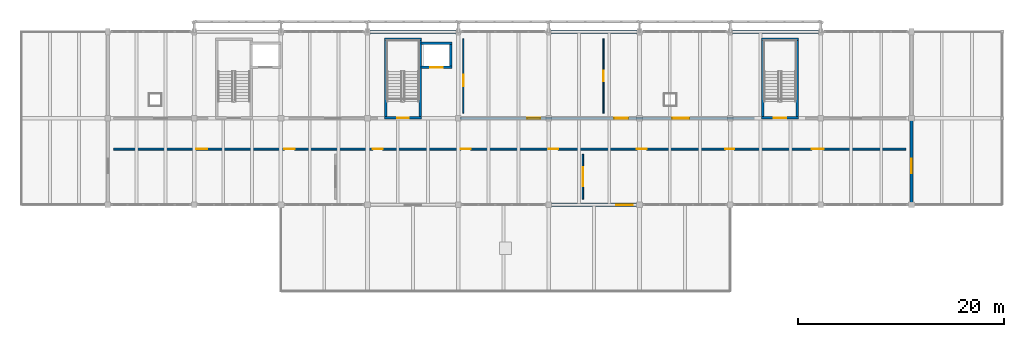
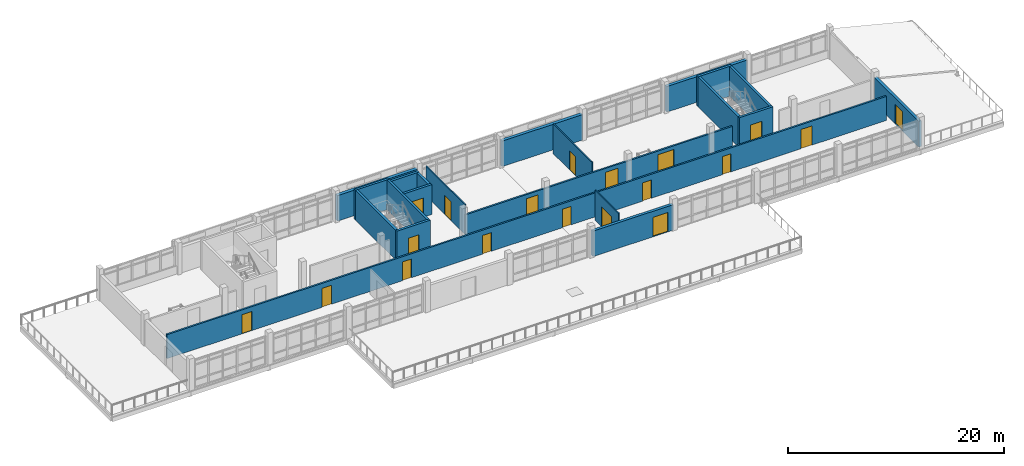
# One storey, part 24 of 30: 21 walls, 19 doors, 19 openings.
"""IFC4 building model written with IfcOpenShell, lengths in metres."""

from ifc_helpers import new_model, si_unit, direction, frame, frame_2d, origin, place, context, subcontext, project, spatial, rectangle, extrude, material, layer, layer_set, type_object, element, fill, save


model = new_model("IFC4")

# Units and contexts
model_context = context("Model", 3, precision=1e-05, world=origin(), true_north=direction((0.0, 1.0)))
body_context = subcontext(model_context, "Body", "Model", "MODEL_VIEW")
ifc_project = project(units=[si_unit("LENGTHUNIT", "METRE"), si_unit("AREAUNIT", "SQUARE_METRE"), si_unit("VOLUMEUNIT", "CUBIC_METRE"), si_unit("PLANEANGLEUNIT", "RADIAN"), si_unit("MASSUNIT", "GRAM", prefix="KILO")], contexts=[model_context])

# Site, building, storey
site_placement = place(None, origin())
site = spatial("IfcSite", under=ifc_project, at=site_placement, CompositionType="ELEMENT")
building_placement = place(site_placement, origin())
building = spatial("IfcBuilding", under=site, at=building_placement, Name="Cinderway Yard Community Centre", CompositionType="ELEMENT")
storey_placement = place(building_placement, frame((0.0, 0.0, 16.5)))
storey = spatial("IfcBuildingStorey", under=building, at=storey_placement, Name="L04", CompositionType="ELEMENT", Elevation=16.5)

# Wall, opening, door
ifc_material_1 = material(Name="Brick Masonry", Category="masonry")
ifc_layer_1 = layer(ifc_material_1, 0.300048828125, Name="Brick Masonry")
ifc_layer_set_1 = layer_set([ifc_layer_1], Name="Brick Masonry")
wall_type_1 = type_object("IfcWallType", Name="ENV-WAL-EXT300", PredefinedType="SOLIDWALL", material=ifc_layer_set_1)
wall_1_placement = place(storey_placement, frame((92.89990234375, 98.39990234375, 0.0), z_axis=(0.0, 0.0, 1.0), x_axis=(1.0, 0.0, 0.0)))
wall_1 = element("IfcWall", 1, at=wall_1_placement, inside=storey, type_object=wall_type_1, Name="V4 Courtyard Portal Wall ENV-WAL-L04-0182", PredefinedType="SOLIDWALL", context=body_context, shape_type="SweptSolid", body=[
    extrude(rectangle(XDim=8.60009765625, YDim=0.300048828125, at=frame_2d((4.300048828125, 0.0))), origin(), (0.0, 0.0, 1.0), 2.885009765625),
])
opening_1_placement = place(wall_1_placement, frame((6.449951171875, 0.0, 0.0)))
opening_1 = element("IfcOpeningElement", 2, at=opening_1_placement, cuts=wall_1, Name="Opening D-TR1", PredefinedType="OPENING", context=body_context, shape_type="SweptSolid", body=[
    extrude(rectangle(XDim=1.60009765625, YDim=2.199951171875, at=frame_2d((0.800048828125, 1.10009765625))), frame((0.0, 0.159912109375, 0.0), z_axis=(0.0, -1.0, 0.0), x_axis=(1.0, 0.0, 0.0)), (0.0, 0.0, 1.0), 0.320068359375),
])
ifc_material_2 = material(Name="Aluminium 6063-T6", Category="aluminium")
door_type_1 = type_object("IfcDoorType", Name="INT-DOR-TER160", OperationType="DOUBLE_DOOR_SINGLE_SWING", PredefinedType="DOOR", material=ifc_material_2)
door_1_placement = place(opening_1_placement, origin())
door_1 = element("IfcDoor", 3, at=door_1_placement, inside=storey, type_object=door_type_1, Name="Legal Aid L04 South Courtyard Terrace Door EXT-DOR-L04-0092", OperationType="DOUBLE_DOOR_SINGLE_SWING", OverallHeight=2.199951171875, OverallWidth=1.60009765625, PredefinedType="DOOR", context=body_context, shape_type="SweptSolid", body=[
    extrude(rectangle(XDim=1.60009765625, YDim=2.199951171875, at=frame_2d((0.800048828125, 1.10009765625))), frame((0.0, 0.02490234375, 0.0), z_axis=(0.0, -1.0, 0.0), x_axis=(1.0, 0.0, 0.0)), (0.0, 0.0, 1.0), 0.050048828125),
])
fill(opening_1, door_1)

wall_2_placement = place(storey_placement, frame((128.0, 98.5, 0.0), z_axis=(0.0, 0.0, 1.0), x_axis=(0.0, 1.0, 0.0)))
wall_2 = element("IfcWall", 4, at=wall_2_placement, inside=storey, type_object=wall_type_1, Name="V4 East End Wall ENV-WAL-L04-0186", PredefinedType="SOLIDWALL", context=body_context, shape_type="SweptSolid", body=[
    extrude(rectangle(XDim=8.199951171875, YDim=0.300048828125, at=frame_2d((4.10009765625, 0.0))), origin(), (0.0, 0.0, 1.0), 2.9150390625),
])
opening_2_placement = place(wall_2_placement, frame((2.949951171875, 0.0, 0.0)))
opening_2 = element("IfcOpeningElement", 5, at=opening_2_placement, cuts=wall_2, Name="Opening D-TR2", PredefinedType="OPENING", context=body_context, shape_type="SweptSolid", body=[
    extrude(rectangle(XDim=1.39990234375, YDim=2.199951171875, at=frame_2d((0.699951171875, 1.10009765625))), frame((0.0, 0.159912109375, 0.0), z_axis=(0.0, -1.0, 0.0), x_axis=(1.0, 0.0, 0.0)), (0.0, 0.0, 1.0), 0.320068359375),
])
door_type_2 = type_object("IfcDoorType", Name="INT-DOR-TER140", OperationType="DOUBLE_DOOR_SINGLE_SWING", PredefinedType="DOOR", material=ifc_material_2)
door_2_placement = place(opening_2_placement, origin())
door_2 = element("IfcDoor", 6, at=door_2_placement, inside=storey, type_object=door_type_2, Name="Legal Aid L04 East Terrace Door EXT-DOR-L04-0093", OperationType="DOUBLE_DOOR_SINGLE_SWING", OverallHeight=2.199951171875, OverallWidth=1.39990234375, PredefinedType="DOOR", context=body_context, shape_type="SweptSolid", body=[
    extrude(rectangle(XDim=1.39990234375, YDim=2.199951171875, at=frame_2d((0.699951171875, 1.10009765625))), frame((0.0, 0.02490234375, 0.0), z_axis=(0.0, -1.0, 0.0), x_axis=(1.0, 0.0, 0.0)), (0.0, 0.0, 1.0), 0.050048828125),
])
fill(opening_2, door_2)

# Walls
ifc_layer_2 = layer(ifc_material_1, 0.340087890625, Name="Brick Masonry")
ifc_layer_set_2 = layer_set([ifc_layer_2], Name="Brick Masonry")
wall_type_2 = type_object("IfcWallType", Name="ENV-WAL-EXT340", PredefinedType="SOLIDWALL", material=ifc_layer_set_2)
wall_3_placement = place(storey_placement, frame((75.300048828125, 115.199951171875, 0.0), z_axis=(0.0, 0.0, 1.0), x_axis=(1.0, 0.0, 0.0)))
element("IfcWall", 7, at=wall_3_placement, inside=storey, type_object=wall_type_2, Name="V4 Street Brick Facade Wall ENV-WAL-L04-0179", PredefinedType="SOLIDWALL", context=body_context, shape_type="SweptSolid", body=[
    extrude(rectangle(XDim=8.599853515625, YDim=0.340087890625, at=frame_2d((4.2998046875, 0.0))), origin(), (0.0, 0.0, 1.0), 2.885009765625),
])
for number, where, z_axis, x_axis, name in (
    (8, (92.89990234375, 115.199951171875, 0.0), (0.0, 0.0, 1.0), (1.0, 0.0, 0.0), "V4 Street Brick Facade Wall ENV-WAL-L04-0181"),
    (9, (110.5, 115.199951171875, 0.0), (0.0, 0.0, 1.0), (1.0, 0.0, 0.0), "V4 Street Brick Facade Wall ENV-WAL-L04-0183"),
):
    element("IfcWall", number, at=place(storey_placement, frame(where, z_axis=z_axis, x_axis=x_axis)), inside=storey, type_object=wall_type_2, Name=name, PredefinedType="SOLIDWALL", context=body_context, shape_type="SweptSolid", body=[
        extrude(rectangle(XDim=8.60009765625, YDim=0.340087890625, at=frame_2d((4.300048828125, 0.0))), origin(), (0.0, 0.0, 1.0), 2.885009765625),
    ])

# Wall, opening, door
ifc_material_3 = material(Name="Gypsum Board Partition", Category="gypsum")
ifc_layer_3 = layer(ifc_material_3, 0.1201171875, Name="Gypsum Board Partition")
ifc_layer_set_3 = layer_set([ifc_layer_3], Name="Gypsum Board Partition")
wall_type_3 = type_object("IfcWallType", Name="INT-WAL-PRT120", PredefinedType="PARTITIONING", material=ifc_layer_set_3)
wall_4_placement = place(storey_placement, frame((84.5, 107.300048828125, 0.0), z_axis=(0.0, 0.0, 1.0), x_axis=(0.0, 1.0, 0.0)))
wall_4 = element("IfcWall", 10, at=wall_4_placement, inside=storey, type_object=wall_type_3, Name="V4 L04 North Room Partition INT-PRT-L04-0333", PredefinedType="PARTITIONING", context=body_context, shape_type="SweptSolid", body=[
    extrude(rectangle(XDim=7.199951171875, YDim=0.1201171875, at=frame_2d((3.60009765625, 0.0))), origin(), (0.0, 0.0, 1.0), 3.364990234375),
])
opening_3_placement = place(wall_4_placement, frame((2.590087890625, 0.0, 0.0)))
opening_3 = element("IfcOpeningElement", 11, at=opening_3_placement, cuts=wall_4, Name="Opening D-03", PredefinedType="OPENING", context=body_context, shape_type="SweptSolid", body=[
    extrude(rectangle(XDim=1.1201171875, YDim=2.159912109375, at=frame_2d((0.56005859375, 1.080078125))), frame((0.0, 0.070068359375, 0.0), z_axis=(0.0, -1.0, 0.0), x_axis=(1.0, 0.0, 0.0)), (0.0, 0.0, 1.0), 0.14013671875),
])
ifc_material_4 = material(Name="Hardwood Timber", Category="wood")
door_type_3 = type_object("IfcDoorType", Name="INT-DOR-CLS112", OperationType="NOTDEFINED", PredefinedType="DOOR", material=ifc_material_4)
door_3_placement = place(opening_3_placement, origin())
door_3 = element("IfcDoor", 12, at=door_3_placement, inside=storey, type_object=door_type_3, Name="Room door INT-DOR-L04-0267", OperationType="SINGLE_SWING_LEFT", OverallHeight=2.159912109375, OverallWidth=1.1201171875, PredefinedType="DOOR", context=body_context, shape_type="SweptSolid", body=[
    extrude(rectangle(XDim=1.1201171875, YDim=2.159912109375, at=frame_2d((0.56005859375, 1.080078125))), frame((0.0, 0.02490234375, 0.0), z_axis=(0.0, -1.0, 0.0), x_axis=(1.0, 0.0, 0.0)), (0.0, 0.0, 1.0), 0.050048828125),
])
fill(opening_3, door_3)

wall_5_placement = place(storey_placement, frame((98.10009765625, 107.300048828125, 0.0), z_axis=(0.0, 0.0, 1.0), x_axis=(0.0, 1.0, 0.0)))
wall_5 = element("IfcWall", 13, at=wall_5_placement, inside=storey, type_object=wall_type_3, Name="V4 L04 North Room Partition INT-PRT-L04-0334", PredefinedType="PARTITIONING", context=body_context, shape_type="SweptSolid", body=[
    extrude(rectangle(XDim=7.199951171875, YDim=0.1201171875, at=frame_2d((3.60009765625, 0.0))), origin(), (0.0, 0.0, 1.0), 3.364990234375),
])
opening_4_placement = place(wall_5_placement, frame((3.070068359375, 0.0, 0.0)))
opening_4 = element("IfcOpeningElement", 14, at=opening_4_placement, cuts=wall_5, Name="Opening D-04", PredefinedType="OPENING", context=body_context, shape_type="SweptSolid", body=[
    extrude(rectangle(XDim=1.06005859375, YDim=2.159912109375, at=frame_2d((0.530029296875, 1.080078125))), frame((0.0, 0.070068359375, 0.0), z_axis=(0.0, -1.0, 0.0), x_axis=(1.0, 0.0, 0.0)), (0.0, 0.0, 1.0), 0.14013671875),
])
door_type_4 = type_object("IfcDoorType", Name="INT-DOR-CLS106", OperationType="NOTDEFINED", PredefinedType="DOOR", material=ifc_material_4)
door_4_placement = place(opening_4_placement, origin())
door_4 = element("IfcDoor", 15, at=door_4_placement, inside=storey, type_object=door_type_4, Name="Room door INT-DOR-L04-0268", OperationType="SINGLE_SWING_RIGHT", OverallHeight=2.159912109375, OverallWidth=1.06005859375, PredefinedType="DOOR", context=body_context, shape_type="SweptSolid", body=[
    extrude(rectangle(XDim=1.06005859375, YDim=2.159912109375, at=frame_2d((0.530029296875, 1.080078125))), frame((0.0, 0.02490234375, 0.0), z_axis=(0.0, -1.0, 0.0), x_axis=(1.0, 0.0, 0.0)), (0.0, 0.0, 1.0), 0.050048828125),
])
fill(opening_4, door_4)

ifc_layer_4 = layer(ifc_material_3, 0.139892578125, Name="Gypsum Board Partition")
ifc_layer_set_4 = layer_set([ifc_layer_4], Name="Gypsum Board Partition")
wall_type_4 = type_object("IfcWallType", Name="INT-WAL-PRT140", PredefinedType="PARTITIONING", material=ifc_layer_set_4)
wall_6_placement = place(storey_placement, frame((96.10009765625, 98.949951171875, 0.0), z_axis=(0.0, 0.0, 1.0), x_axis=(0.0, 1.0, 0.0)))
wall_6 = element("IfcWall", 16, at=wall_6_placement, inside=storey, type_object=wall_type_4, Name="V4 L04 South Room Partition INT-PRT-L04-0332", PredefinedType="PARTITIONING", context=body_context, shape_type="SweptSolid", body=[
    extrude(rectangle(XDim=4.35009765625, YDim=0.139892578125, at=frame_2d((2.175048828125, 0.0))), origin(), (0.0, 0.0, 1.0), 3.364990234375),
])
opening_5_placement = place(wall_6_placement, frame((1.25, 0.0, 0.0)))
opening_5 = element("IfcOpeningElement", 17, at=opening_5_placement, cuts=wall_6, Name="Opening D-02", PredefinedType="OPENING", context=body_context, shape_type="SweptSolid", body=[
    extrude(rectangle(XDim=1.85009765625, YDim=2.219970703125, at=frame_2d((0.925048828125, 1.10986328125))), frame((0.0, 0.079833984375, 0.0), z_axis=(0.0, -1.0, 0.0), x_axis=(1.0, 0.0, 0.0)), (0.0, 0.0, 1.0), 0.159912109375),
])
door_type_5 = type_object("IfcDoorType", Name="INT-DOR-HAL185", OperationType="DOUBLE_DOOR_SINGLE_SWING", PredefinedType="DOOR", material=ifc_material_4)
door_5_placement = place(opening_5_placement, origin())
door_5 = element("IfcDoor", 18, at=door_5_placement, inside=storey, type_object=door_type_5, Name="Room door INT-DOR-L04-0266", OperationType="DOUBLE_DOOR_SINGLE_SWING", OverallHeight=2.219970703125, OverallWidth=1.85009765625, PredefinedType="DOOR", context=body_context, shape_type="SweptSolid", body=[
    extrude(rectangle(XDim=1.85009765625, YDim=2.219970703125, at=frame_2d((0.925048828125, 1.10986328125))), frame((0.0, 0.02490234375, 0.0), z_axis=(0.0, -1.0, 0.0), x_axis=(1.0, 0.0, 0.0)), (0.0, 0.0, 1.0), 0.050048828125),
])
fill(opening_5, door_5)

# Wall, openings, doors
ifc_layer_5 = layer(ifc_material_1, 0.179931640625, Name="Brick Masonry")
ifc_layer_set_5 = layer_set([ifc_layer_5], Name="Brick Masonry")
wall_type_5 = type_object("IfcWallType", Name="INT-WAL-PRT180", PredefinedType="PARTITIONING", material=ifc_layer_set_5)
wall_7_placement = place(storey_placement, frame((50.550048828125, 103.800048828125, 0.0), z_axis=(0.0, 0.0, 1.0), x_axis=(1.0, 0.0, 0.0)))
wall_7 = element("IfcWall", 19, at=wall_7_placement, inside=storey, type_object=wall_type_5, Name="V4 L04 South Corridor Spine INT-PRT-L04-0326", PredefinedType="PARTITIONING", context=body_context, shape_type="SweptSolid", body=[
    extrude(rectangle(XDim=76.89990234375, YDim=0.179931640625, at=frame_2d((38.449951171875, 0.0))), origin(), (0.0, 0.0, 1.0), 2.715087890625),
])
opening_6_placement = place(wall_7_placement, frame((8.013916015625, 0.0, 0.0)))
opening_6 = element("IfcOpeningElement", 20, at=opening_6_placement, cuts=wall_7, Name="Opening D-04", PredefinedType="OPENING", context=body_context, shape_type="SweptSolid", body=[
    extrude(rectangle(XDim=1.06005859375, YDim=2.159912109375, at=frame_2d((0.530029296875, 1.080078125))), frame((0.0, 0.099853515625, 0.0), z_axis=(0.0, -1.0, 0.0), x_axis=(1.0, 0.0, 0.0)), (0.0, 0.0, 1.0), 0.199951171875),
])
opening_7_placement = place(wall_7_placement, frame((16.589111328125, 0.0, 0.0)))
opening_7 = element("IfcOpeningElement", 21, at=opening_7_placement, cuts=wall_7, Name="Opening D-05", PredefinedType="OPENING", context=body_context, shape_type="SweptSolid", body=[
    extrude(rectangle(XDim=1.0, YDim=2.139892578125, at=frame_2d((0.5, 1.06982421875))), frame((0.0, 0.099853515625, 0.0), z_axis=(0.0, -1.0, 0.0), x_axis=(1.0, 0.0, 0.0)), (0.0, 0.0, 1.0), 0.199951171875),
])
opening_8_placement = place(wall_7_placement, frame((25.14306640625, 0.0, 0.0)))
opening_8 = element("IfcOpeningElement", 22, at=opening_8_placement, cuts=wall_7, Name="Opening D-06", PredefinedType="OPENING", context=body_context, shape_type="SweptSolid", body=[
    extrude(rectangle(XDim=0.97998046875, YDim=2.1201171875, at=frame_2d((0.489990234375, 1.06005859375))), frame((0.0, 0.099853515625, 0.0), z_axis=(0.0, -1.0, 0.0), x_axis=(1.0, 0.0, 0.0)), (0.0, 0.0, 1.0), 0.199951171875),
])
opening_9_placement = place(wall_7_placement, frame((33.702880859375, 0.0, 0.0)))
opening_9 = element("IfcOpeningElement", 23, at=opening_9_placement, cuts=wall_7, Name="Opening D-07", PredefinedType="OPENING", context=body_context, shape_type="SweptSolid", body=[
    extrude(rectangle(XDim=0.949951171875, YDim=2.1201171875, at=frame_2d((0.47509765625, 1.06005859375))), frame((0.0, 0.099853515625, 0.0), z_axis=(0.0, -1.0, 0.0), x_axis=(1.0, 0.0, 0.0)), (0.0, 0.0, 1.0), 0.199951171875),
])
opening_10_placement = place(wall_7_placement, frame((42.261962890625, 0.0, 0.0)))
opening_10 = element("IfcOpeningElement", 24, at=opening_10_placement, cuts=wall_7, Name="Opening D-08", PredefinedType="OPENING", context=body_context, shape_type="SweptSolid", body=[
    extrude(rectangle(XDim=0.919921875, YDim=2.10009765625, at=frame_2d((0.4599609375, 1.050048828125))), frame((0.0, 0.099853515625, 0.0), z_axis=(0.0, -1.0, 0.0), x_axis=(1.0, 0.0, 0.0)), (0.0, 0.0, 1.0), 0.199951171875),
])
opening_11_placement = place(wall_7_placement, frame((50.787109375, 0.0, 0.0)))
opening_11 = element("IfcOpeningElement", 25, at=opening_11_placement, cuts=wall_7, Name="Opening D-09", PredefinedType="OPENING", context=body_context, shape_type="SweptSolid", body=[
    extrude(rectangle(XDim=0.9599609375, YDim=2.080078125, at=frame_2d((0.47998046875, 1.0400390625))), frame((0.0, 0.099853515625, 0.0), z_axis=(0.0, -1.0, 0.0), x_axis=(1.0, 0.0, 0.0)), (0.0, 0.0, 1.0), 0.199951171875),
])
opening_12_placement = place(wall_7_placement, frame((59.361083984375, 0.0, 0.0)))
opening_12 = element("IfcOpeningElement", 26, at=opening_12_placement, cuts=wall_7, Name="Opening D-10", PredefinedType="OPENING", context=body_context, shape_type="SweptSolid", body=[
    extrude(rectangle(XDim=0.89990234375, YDim=2.06005859375, at=frame_2d((0.449951171875, 1.030029296875))), frame((0.0, 0.099853515625, 0.0), z_axis=(0.0, -1.0, 0.0), x_axis=(1.0, 0.0, 0.0)), (0.0, 0.0, 1.0), 0.199951171875),
])
opening_13_placement = place(wall_7_placement, frame((67.76611328125, 0.0, 0.0)))
opening_13 = element("IfcOpeningElement", 27, at=opening_13_placement, cuts=wall_7, Name="Opening D-11", PredefinedType="OPENING", context=body_context, shape_type="SweptSolid", body=[
    extrude(rectangle(XDim=1.179931640625, YDim=2.179931640625, at=frame_2d((0.58984375, 1.08984375))), frame((0.0, 0.099853515625, 0.0), z_axis=(0.0, -1.0, 0.0), x_axis=(1.0, 0.0, 0.0)), (0.0, 0.0, 1.0), 0.199951171875),
])
door_type_6 = type_object("IfcDoorType", Name="INT-DOR-CLS100", OperationType="NOTDEFINED", PredefinedType="DOOR", material=ifc_material_4)
door_6_placement = place(opening_7_placement, origin())
door_6 = element("IfcDoor", 28, at=door_6_placement, inside=storey, type_object=door_type_6, Name="Room door INT-DOR-L04-0252", OperationType="SINGLE_SWING_LEFT", OverallHeight=2.139892578125, OverallWidth=1.0, PredefinedType="DOOR", context=body_context, shape_type="SweptSolid", body=[
    extrude(rectangle(XDim=1.0, YDim=2.139892578125, at=frame_2d((0.5, 1.06982421875))), frame((0.0, 0.02490234375, 0.0), z_axis=(0.0, -1.0, 0.0), x_axis=(1.0, 0.0, 0.0)), (0.0, 0.0, 1.0), 0.050048828125),
])
fill(opening_7, door_6)
door_7_placement = place(opening_6_placement, origin())
door_7 = element("IfcDoor", 29, at=door_7_placement, inside=storey, type_object=door_type_4, Name="Room door INT-DOR-L04-0251", OperationType="SINGLE_SWING_RIGHT", OverallHeight=2.159912109375, OverallWidth=1.06005859375, PredefinedType="DOOR", context=body_context, shape_type="SweptSolid", body=[
    extrude(rectangle(XDim=1.06005859375, YDim=2.159912109375, at=frame_2d((0.530029296875, 1.080078125))), frame((0.0, 0.02490234375, 0.0), z_axis=(0.0, -1.0, 0.0), x_axis=(1.0, 0.0, 0.0)), (0.0, 0.0, 1.0), 0.050048828125),
])
fill(opening_6, door_7)
door_type_7 = type_object("IfcDoorType", Name="INT-DOR-OFF092", OperationType="NOTDEFINED", PredefinedType="DOOR", material=ifc_material_4)
door_8_placement = place(opening_10_placement, origin())
door_8 = element("IfcDoor", 30, at=door_8_placement, inside=storey, type_object=door_type_7, Name="Room door INT-DOR-L04-0255", OperationType="SINGLE_SWING_RIGHT", OverallHeight=2.10009765625, OverallWidth=0.919921875, PredefinedType="DOOR", context=body_context, shape_type="SweptSolid", body=[
    extrude(rectangle(XDim=0.919921875, YDim=2.10009765625, at=frame_2d((0.4599609375, 1.050048828125))), frame((0.0, 0.02490234375, 0.0), z_axis=(0.0, -1.0, 0.0), x_axis=(1.0, 0.0, 0.0)), (0.0, 0.0, 1.0), 0.050048828125),
])
fill(opening_10, door_8)
door_type_8 = type_object("IfcDoorType", Name="INT-DOR-OFF095", OperationType="NOTDEFINED", PredefinedType="DOOR", material=ifc_material_4)
door_9_placement = place(opening_9_placement, origin())
door_9 = element("IfcDoor", 31, at=door_9_placement, inside=storey, type_object=door_type_8, Name="Room door INT-DOR-L04-0254", OperationType="SINGLE_SWING_LEFT", OverallHeight=2.1201171875, OverallWidth=0.949951171875, PredefinedType="DOOR", context=body_context, shape_type="SweptSolid", body=[
    extrude(rectangle(XDim=0.949951171875, YDim=2.1201171875, at=frame_2d((0.47509765625, 1.06005859375))), frame((0.0, 0.02490234375, 0.0), z_axis=(0.0, -1.0, 0.0), x_axis=(1.0, 0.0, 0.0)), (0.0, 0.0, 1.0), 0.050048828125),
])
fill(opening_9, door_9)
door_type_9 = type_object("IfcDoorType", Name="INT-DOR-OFF098", OperationType="NOTDEFINED", PredefinedType="DOOR", material=ifc_material_4)
door_10_placement = place(opening_8_placement, origin())
door_10 = element("IfcDoor", 32, at=door_10_placement, inside=storey, type_object=door_type_9, Name="Room door INT-DOR-L04-0253", OperationType="SINGLE_SWING_RIGHT", OverallHeight=2.1201171875, OverallWidth=0.97998046875, PredefinedType="DOOR", context=body_context, shape_type="SweptSolid", body=[
    extrude(rectangle(XDim=0.97998046875, YDim=2.1201171875, at=frame_2d((0.489990234375, 1.06005859375))), frame((0.0, 0.02490234375, 0.0), z_axis=(0.0, -1.0, 0.0), x_axis=(1.0, 0.0, 0.0)), (0.0, 0.0, 1.0), 0.050048828125),
])
fill(opening_8, door_10)
door_type_10 = type_object("IfcDoorType", Name="INT-DOR-SAN090", OperationType="NOTDEFINED", PredefinedType="DOOR", material=ifc_material_4)
door_11_placement = place(opening_12_placement, origin())
door_11 = element("IfcDoor", 33, at=door_11_placement, inside=storey, type_object=door_type_10, Name="Room door INT-DOR-L04-0257", OperationType="SINGLE_SWING_RIGHT", OverallHeight=2.06005859375, OverallWidth=0.89990234375, PredefinedType="DOOR", context=body_context, shape_type="SweptSolid", body=[
    extrude(rectangle(XDim=0.89990234375, YDim=2.06005859375, at=frame_2d((0.449951171875, 1.030029296875))), frame((0.0, 0.02490234375, 0.0), z_axis=(0.0, -1.0, 0.0), x_axis=(1.0, 0.0, 0.0)), (0.0, 0.0, 1.0), 0.050048828125),
])
fill(opening_12, door_11)
door_type_11 = type_object("IfcDoorType", Name="INT-DOR-SAN096", OperationType="NOTDEFINED", PredefinedType="DOOR", material=ifc_material_4)
door_12_placement = place(opening_11_placement, origin())
door_12 = element("IfcDoor", 34, at=door_12_placement, inside=storey, type_object=door_type_11, Name="Room door INT-DOR-L04-0256", OperationType="SINGLE_SWING_LEFT", OverallHeight=2.080078125, OverallWidth=0.9599609375, PredefinedType="DOOR", context=body_context, shape_type="SweptSolid", body=[
    extrude(rectangle(XDim=0.9599609375, YDim=2.080078125, at=frame_2d((0.47998046875, 1.0400390625))), frame((0.0, 0.02490234375, 0.0), z_axis=(0.0, -1.0, 0.0), x_axis=(1.0, 0.0, 0.0)), (0.0, 0.0, 1.0), 0.050048828125),
])
fill(opening_11, door_12)
ifc_material_5 = material(Name="Painted Galvanised Steel", Category="steel")
door_type_12 = type_object("IfcDoorType", Name="INT-DOR-STR118", OperationType="NOTDEFINED", PredefinedType="DOOR", material=ifc_material_5)
door_13_placement = place(opening_13_placement, origin())
door_13 = element("IfcDoor", 35, at=door_13_placement, inside=storey, type_object=door_type_12, Name="Room door INT-DOR-L04-0258", OperationType="SINGLE_SWING_LEFT", OverallHeight=2.179931640625, OverallWidth=1.179931640625, PredefinedType="DOOR", context=body_context, shape_type="SweptSolid", body=[
    extrude(rectangle(XDim=1.179931640625, YDim=2.179931640625, at=frame_2d((0.58984375, 1.08984375))), frame((0.0, 0.02490234375, 0.0), z_axis=(0.0, -1.0, 0.0), x_axis=(1.0, 0.0, 0.0)), (0.0, 0.0, 1.0), 0.050048828125),
])
fill(opening_13, door_13)

wall_8_placement = place(storey_placement, frame((84.199951171875, 106.800048828125, 0.0), z_axis=(0.0, 0.0, 1.0), x_axis=(1.0, 0.0, 0.0)))
wall_8 = element("IfcWall", 36, at=wall_8_placement, inside=storey, type_object=wall_type_5, Name="V4 L04 North Corridor Spine INT-PRT-L04-0329", PredefinedType="PARTITIONING", context=body_context, shape_type="SweptSolid", body=[
    extrude(rectangle(XDim=28.530029296875, YDim=0.179931640625, at=frame_2d((14.26513671875, 0.0))), origin(), (0.0, 0.0, 1.0), 2.6650390625),
])
opening_14_placement = place(wall_8_placement, frame((6.512939453125, 0.0, 0.0)))
opening_14 = element("IfcOpeningElement", 37, at=opening_14_placement, cuts=wall_8, Name="Opening D-14", PredefinedType="OPENING", context=body_context, shape_type="SweptSolid", body=[
    extrude(rectangle(XDim=1.239990234375, YDim=2.199951171875, at=frame_2d((0.6201171875, 1.10009765625))), frame((0.0, 0.099853515625, 0.0), z_axis=(0.0, -1.0, 0.0), x_axis=(1.0, 0.0, 0.0)), (0.0, 0.0, 1.0), 0.199951171875),
])
opening_15_placement = place(wall_8_placement, frame((14.93505859375, 0.0, 0.0)))
opening_15 = element("IfcOpeningElement", 38, at=opening_15_placement, cuts=wall_8, Name="Opening D-15", PredefinedType="OPENING", context=body_context, shape_type="SweptSolid", body=[
    extrude(rectangle(XDim=1.360107421875, YDim=2.219970703125, at=frame_2d((0.68017578125, 1.10986328125))), frame((0.0, 0.099853515625, 0.0), z_axis=(0.0, -1.0, 0.0), x_axis=(1.0, 0.0, 0.0)), (0.0, 0.0, 1.0), 0.199951171875),
])
opening_16_placement = place(wall_8_placement, frame((20.556884765625, 0.0, 0.0)))
opening_16 = element("IfcOpeningElement", 39, at=opening_16_placement, cuts=wall_8, Name="Opening D-16", PredefinedType="OPENING", context=body_context, shape_type="SweptSolid", body=[
    extrude(rectangle(XDim=1.679931640625, YDim=2.260009765625, at=frame_2d((0.83984375, 1.1298828125))), frame((0.0, 0.099853515625, 0.0), z_axis=(0.0, -1.0, 0.0), x_axis=(1.0, 0.0, 0.0)), (0.0, 0.0, 1.0), 0.199951171875),
])
door_type_13 = type_object("IfcDoorType", Name="INT-DOR-LIB168", OperationType="DOUBLE_DOOR_SINGLE_SWING", PredefinedType="DOOR", material=ifc_material_4)
door_14_placement = place(opening_16_placement, origin())
door_14 = element("IfcDoor", 40, at=door_14_placement, inside=storey, type_object=door_type_13, Name="Room door INT-DOR-L04-0263", OperationType="DOUBLE_DOOR_SINGLE_SWING", OverallHeight=2.260009765625, OverallWidth=1.679931640625, PredefinedType="DOOR", context=body_context, shape_type="SweptSolid", body=[
    extrude(rectangle(XDim=1.679931640625, YDim=2.260009765625, at=frame_2d((0.83984375, 1.1298828125))), frame((0.0, 0.02490234375, 0.0), z_axis=(0.0, -1.0, 0.0), x_axis=(1.0, 0.0, 0.0)), (0.0, 0.0, 1.0), 0.050048828125),
])
fill(opening_16, door_14)
door_type_14 = type_object("IfcDoorType", Name="INT-DOR-STU124", OperationType="NOTDEFINED", PredefinedType="DOOR", material=ifc_material_4)
door_15_placement = place(opening_14_placement, origin())
door_15 = element("IfcDoor", 41, at=door_15_placement, inside=storey, type_object=door_type_14, Name="Room door INT-DOR-L04-0261", OperationType="SINGLE_SWING_LEFT", OverallHeight=2.199951171875, OverallWidth=1.239990234375, PredefinedType="DOOR", context=body_context, shape_type="SweptSolid", body=[
    extrude(rectangle(XDim=1.239990234375, YDim=2.199951171875, at=frame_2d((0.6201171875, 1.10009765625))), frame((0.0, 0.02490234375, 0.0), z_axis=(0.0, -1.0, 0.0), x_axis=(1.0, 0.0, 0.0)), (0.0, 0.0, 1.0), 0.050048828125),
])
fill(opening_14, door_15)
door_type_15 = type_object("IfcDoorType", Name="INT-DOR-STU136", OperationType="DOUBLE_DOOR_SINGLE_SWING", PredefinedType="DOOR", material=ifc_material_4)
door_16_placement = place(opening_15_placement, origin())
door_16 = element("IfcDoor", 42, at=door_16_placement, inside=storey, type_object=door_type_15, Name="Room door INT-DOR-L04-0262", OperationType="DOUBLE_DOOR_SINGLE_SWING", OverallHeight=2.219970703125, OverallWidth=1.360107421875, PredefinedType="DOOR", context=body_context, shape_type="SweptSolid", body=[
    extrude(rectangle(XDim=1.360107421875, YDim=2.219970703125, at=frame_2d((0.68017578125, 1.10986328125))), frame((0.0, 0.02490234375, 0.0), z_axis=(0.0, -1.0, 0.0), x_axis=(1.0, 0.0, 0.0)), (0.0, 0.0, 1.0), 0.050048828125),
])
fill(opening_15, door_16)

# Wall, opening, door
ifc_material_6 = material(Name="Concrete C40/50", Category="concrete")
ifc_layer_6 = layer(ifc_material_6, 0.25, Name="Concrete C40/50")
ifc_layer_set_6 = layer_set([ifc_layer_6], Name="Concrete C40/50")
wall_type_6 = type_object("IfcWallType", Name="INT-WAL-SHR250", PredefinedType="SHEAR", material=ifc_layer_set_6)
wall_9_placement = place(storey_placement, frame((80.445068359375, 106.830078125, 0.0), z_axis=(0.0, 0.0, 1.0), x_axis=(-1.0, 0.0, 0.0)))
wall_9 = element("IfcWall", 43, at=wall_9_placement, inside=storey, type_object=wall_type_6, Name="Stair ST-02 Entry Wall INT-WAL-L04-0059", PredefinedType="SHEAR", context=body_context, shape_type="SweptSolid", body=[
    extrude(rectangle(XDim=3.610107421875, YDim=0.25, at=frame_2d((1.80517578125, 0.0))), origin(), (0.0, 0.0, 1.0), 3.3798828125),
])
opening_17_placement = place(wall_9_placement, frame((1.235107421875, 0.0, 0.0)))
opening_17 = element("IfcOpeningElement", 44, at=opening_17_placement, cuts=wall_9, Name="Opening D-ST2", PredefinedType="OPENING", context=body_context, shape_type="SweptSolid", body=[
    extrude(rectangle(XDim=1.139892578125, YDim=2.14990234375, at=frame_2d((0.56982421875, 1.074951171875))), frame((0.0, 0.135009765625, 0.0), z_axis=(0.0, -1.0, 0.0), x_axis=(1.0, 0.0, 0.0)), (0.0, 0.0, 1.0), 0.27001953125),
])
door_type_16 = type_object("IfcDoorType", Name="INT-DOR-ST114", OperationType="NOTDEFINED", PredefinedType="DOOR", material=ifc_material_5)
door_17_placement = place(opening_17_placement, origin())
door_17 = element("IfcDoor", 45, at=door_17_placement, inside=storey, type_object=door_type_16, Name="Core door INT-DOR-L04-0017", OperationType="SINGLE_SWING_LEFT", OverallHeight=2.14990234375, OverallWidth=1.139892578125, PredefinedType="DOOR", context=body_context, shape_type="SweptSolid", body=[
    extrude(rectangle(XDim=1.139892578125, YDim=2.14990234375, at=frame_2d((0.56982421875, 1.074951171875))), frame((0.0, 0.02490234375, 0.0), z_axis=(0.0, -1.0, 0.0), x_axis=(1.0, 0.0, 0.0)), (0.0, 0.0, 1.0), 0.050048828125),
])
fill(opening_17, door_17)

# Walls
wall_10_placement = place(storey_placement, frame((76.8349609375, 114.469970703125, 0.0), z_axis=(0.0, 0.0, 1.0), x_axis=(1.0, 0.0, 0.0)))
element("IfcWall", 46, at=wall_10_placement, inside=storey, type_object=wall_type_6, Name="Stair ST-02 Back Wall INT-WAL-L04-0060", PredefinedType="SHEAR", context=body_context, shape_type="SweptSolid", body=[
    extrude(rectangle(XDim=3.610107421875, YDim=0.25, at=frame_2d((1.80517578125, 0.0))), origin(), (0.0, 0.0, 1.0), 3.3798828125),
])
for number, where, z_axis, x_axis, name in (
    (47, (76.9599609375, 106.955078125, 0.0), (0.0, 0.0, 1.0), (0.0, 1.0, 0.0), "Stair ST-02 Side Wall L INT-WAL-L04-0061"),
    (48, (80.320068359375, 114.344970703125, 0.0), (0.0, 0.0, 1.0), (0.0, -1.0, 0.0), "Stair ST-02 Side Wall R INT-WAL-L04-0062"),
):
    element("IfcWall", number, at=place(storey_placement, frame(where, z_axis=z_axis, x_axis=x_axis)), inside=storey, type_object=wall_type_6, Name=name, PredefinedType="SHEAR", context=body_context, shape_type="SweptSolid", body=[
        extrude(rectangle(XDim=7.389892578125, YDim=0.25, at=frame_2d((3.69482421875, 0.0))), origin(), (0.0, 0.0, 1.0), 3.3798828125),
    ])

# Wall, opening, door
wall_11_placement = place(storey_placement, frame((80.39990234375, 111.72998046875, 0.0), z_axis=(0.0, 0.0, 1.0), x_axis=(1.0, 0.0, 0.0)))
wall_11 = element("IfcWall", 49, at=wall_11_placement, inside=storey, type_object=wall_type_6, Name="Lift LF-02 South Wall INT-WAL-L04-0079", PredefinedType="SHEAR", context=body_context, shape_type="SweptSolid", body=[
    extrude(rectangle(XDim=3.0, YDim=0.25, at=frame_2d((1.5, 0.0))), origin(), (0.0, 0.0, 1.0), 3.3798828125),
])
opening_18_placement = place(wall_11_placement, frame((0.889892578125, 0.0, 0.0)))
opening_18 = element("IfcOpeningElement", 50, at=opening_18_placement, cuts=wall_11, Name="Opening LD-02", PredefinedType="OPENING", context=body_context, shape_type="SweptSolid", body=[
    extrude(rectangle(XDim=1.219970703125, YDim=2.179931640625, at=frame_2d((0.60986328125, 1.08984375))), frame((0.0, 0.135009765625, 0.0), z_axis=(0.0, -1.0, 0.0), x_axis=(1.0, 0.0, 0.0)), (0.0, 0.0, 1.0), 0.27001953125),
])
door_type_17 = type_object("IfcDoorType", Name="INT-DOR-LD02", OperationType="SLIDING_TO_RIGHT", PredefinedType="DOOR", material=ifc_material_5)
door_18_placement = place(opening_18_placement, origin())
door_18 = element("IfcDoor", 51, at=door_18_placement, inside=storey, type_object=door_type_17, Name="Lift landing door INT-DOR-L04-0023", OperationType="SLIDING_TO_RIGHT", OverallHeight=2.179931640625, OverallWidth=1.219970703125, PredefinedType="DOOR", context=body_context, shape_type="SweptSolid", body=[
    extrude(rectangle(XDim=1.219970703125, YDim=2.179931640625, at=frame_2d((0.60986328125, 1.08984375))), frame((0.0, 0.02490234375, 0.0), z_axis=(0.0, -1.0, 0.0), x_axis=(1.0, 0.0, 0.0)), (0.0, 0.0, 1.0), 0.050048828125),
])
fill(opening_18, door_18)

# Walls
wall_12_placement = place(storey_placement, frame((83.39990234375, 114.070068359375, 0.0), z_axis=(0.0, 0.0, 1.0), x_axis=(-1.0, 0.0, 0.0)))
element("IfcWall", 52, at=wall_12_placement, inside=storey, type_object=wall_type_6, Name="Lift LF-02 North Wall INT-WAL-L04-0080", PredefinedType="SHEAR", context=body_context, shape_type="SweptSolid", body=[
    extrude(rectangle(XDim=3.0, YDim=0.25, at=frame_2d((1.5, 0.0))), origin(), (0.0, 0.0, 1.0), 3.3798828125),
])
wall_13_placement = place(storey_placement, frame((83.27001953125, 111.860107421875, 0.0), z_axis=(0.0, 0.0, 1.0), x_axis=(0.0, 1.0, 0.0)))
element("IfcWall", 53, at=wall_13_placement, inside=storey, type_object=wall_type_6, Name="Lift LF-02 East Wall INT-WAL-L04-0081", PredefinedType="SHEAR", context=body_context, shape_type="SweptSolid", body=[
    extrude(rectangle(XDim=2.079833984375, YDim=0.25, at=frame_2d((1.0400390625, 0.0))), origin(), (0.0, 0.0, 1.0), 3.3798828125),
])

# Wall, opening, door
wall_14_placement = place(storey_placement, frame((117.044921875, 106.830078125, 0.0), z_axis=(0.0, 0.0, 1.0), x_axis=(-1.0, 0.0, 0.0)))
wall_14 = element("IfcWall", 54, at=wall_14_placement, inside=storey, type_object=wall_type_6, Name="Stair ST-03 Entry Wall INT-WAL-L04-0101", PredefinedType="SHEAR", context=body_context, shape_type="SweptSolid", body=[
    extrude(rectangle(XDim=3.60986328125, YDim=0.25, at=frame_2d((1.804931640625, 0.0))), origin(), (0.0, 0.0, 1.0), 3.3798828125),
])
opening_19_placement = place(wall_14_placement, frame((1.205078125, 0.0, 0.0)))
opening_19 = element("IfcOpeningElement", 55, at=opening_19_placement, cuts=wall_14, Name="Opening D-ST1", PredefinedType="OPENING", context=body_context, shape_type="SweptSolid", body=[
    extrude(rectangle(XDim=1.199951171875, YDim=2.14990234375, at=frame_2d((0.60009765625, 1.074951171875))), frame((0.0, 0.135009765625, 0.0), z_axis=(0.0, -1.0, 0.0), x_axis=(1.0, 0.0, 0.0)), (0.0, 0.0, 1.0), 0.27001953125),
])
door_type_18 = type_object("IfcDoorType", Name="INT-DOR-ST120", OperationType="NOTDEFINED", PredefinedType="DOOR", material=ifc_material_5)
door_19_placement = place(opening_19_placement, origin())
door_19 = element("IfcDoor", 56, at=door_19_placement, inside=storey, type_object=door_type_18, Name="Core door INT-DOR-L04-0029", OperationType="SINGLE_SWING_LEFT", OverallHeight=2.14990234375, OverallWidth=1.199951171875, PredefinedType="DOOR", context=body_context, shape_type="SweptSolid", body=[
    extrude(rectangle(XDim=1.199951171875, YDim=2.14990234375, at=frame_2d((0.60009765625, 1.074951171875))), frame((0.0, 0.02490234375, 0.0), z_axis=(0.0, -1.0, 0.0), x_axis=(1.0, 0.0, 0.0)), (0.0, 0.0, 1.0), 0.050048828125),
])
fill(opening_19, door_19)

# Walls
wall_15_placement = place(storey_placement, frame((113.43505859375, 114.469970703125, 0.0), z_axis=(0.0, 0.0, 1.0), x_axis=(1.0, 0.0, 0.0)))
element("IfcWall", 57, at=wall_15_placement, inside=storey, type_object=wall_type_6, Name="Stair ST-03 Back Wall INT-WAL-L04-0102", PredefinedType="SHEAR", context=body_context, shape_type="SweptSolid", body=[
    extrude(rectangle(XDim=3.60986328125, YDim=0.25, at=frame_2d((1.804931640625, 0.0))), origin(), (0.0, 0.0, 1.0), 3.3798828125),
])
for number, where, z_axis, x_axis, name in (
    (58, (113.56005859375, 106.955078125, 0.0), (0.0, 0.0, 1.0), (0.0, 1.0, 0.0), "Stair ST-03 Side Wall L INT-WAL-L04-0103"),
    (59, (116.919921875, 114.344970703125, 0.0), (0.0, 0.0, 1.0), (0.0, -1.0, 0.0), "Stair ST-03 Side Wall R INT-WAL-L04-0104"),
):
    element("IfcWall", number, at=place(storey_placement, frame(where, z_axis=z_axis, x_axis=x_axis)), inside=storey, type_object=wall_type_6, Name=name, PredefinedType="SHEAR", context=body_context, shape_type="SweptSolid", body=[
        extrude(rectangle(XDim=7.389892578125, YDim=0.25, at=frame_2d((3.69482421875, 0.0))), origin(), (0.0, 0.0, 1.0), 3.3798828125),
    ])

save(model, "model.ifc")
